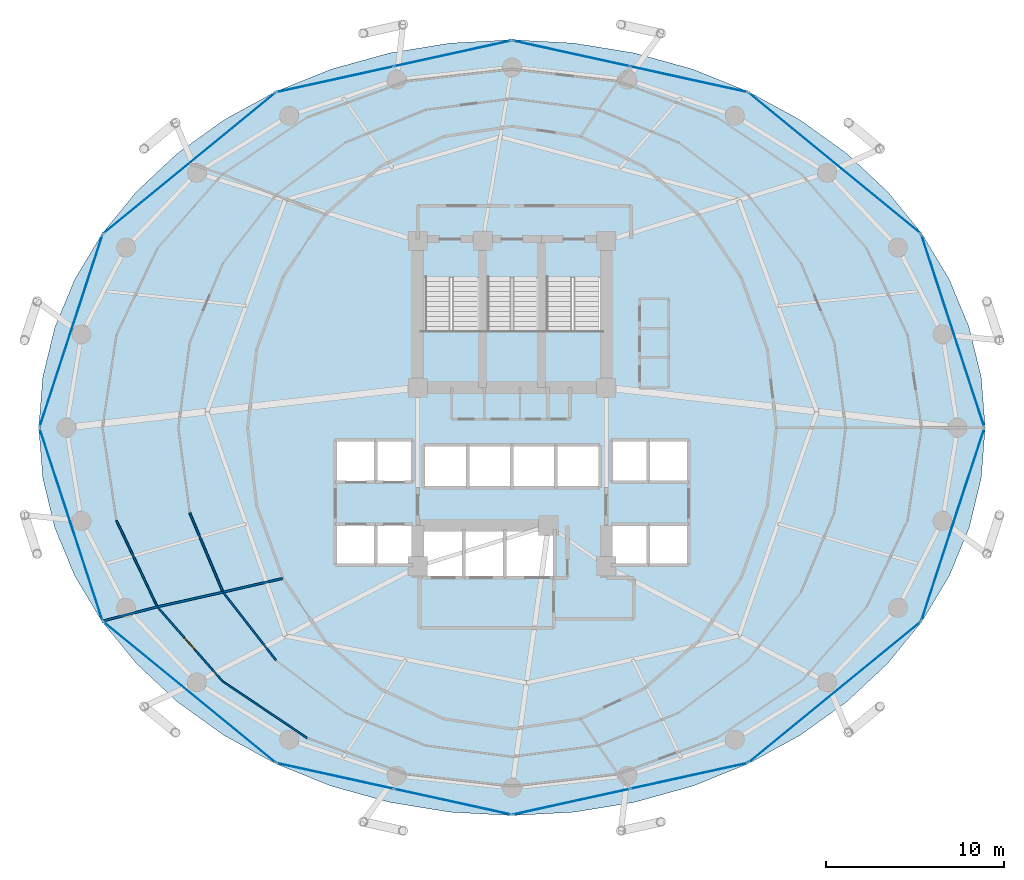
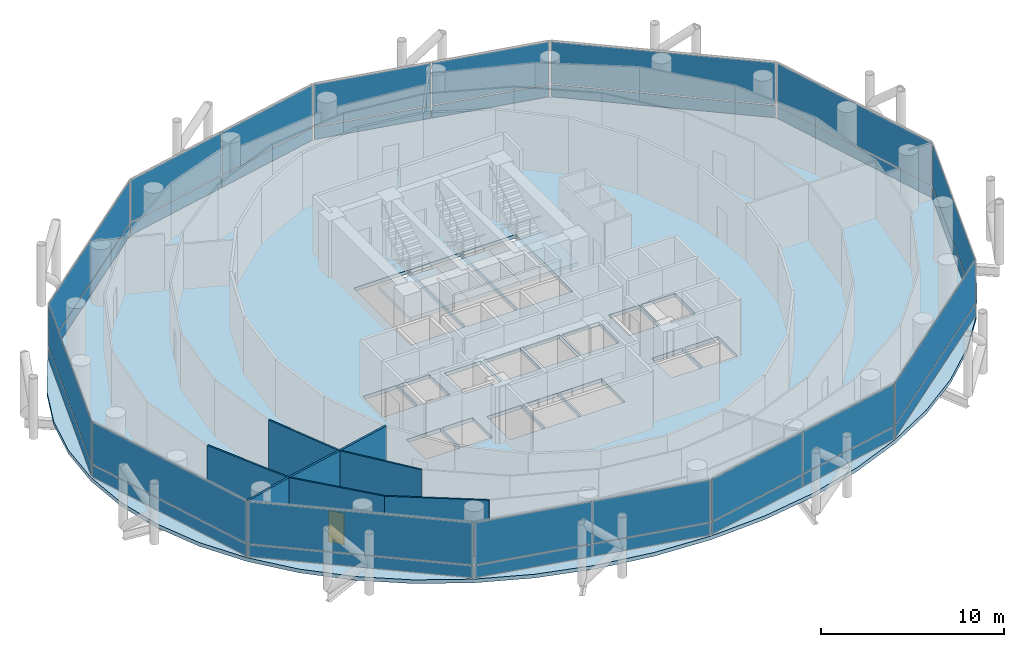
# One storey, part 20 of 26: 32 plates, 8 walls, 4 slabs, 1 door, 1 opening, 15 elements without a shape of their own.
"""IFC4 building model written with IfcOpenShell, lengths in metres."""

from ifc_helpers import new_model, si_unit, direction, frame, frame_2d, origin, origin_2d, place, context, subcontext, project, spatial, polyline, rectangle, outline, extrude, material, layer, layer_set, type_object, element, fill, aggregate, save


model = new_model("IFC4")

# Units and contexts
model_context = context("Model", 3, precision=1e-05, world=origin(), true_north=direction((0.0, 1.0)))
body_context = subcontext(model_context, "Body", "Model", "MODEL_VIEW")
ifc_project = project(units=[si_unit("LENGTHUNIT", "METRE"), si_unit("AREAUNIT", "SQUARE_METRE"), si_unit("VOLUMEUNIT", "CUBIC_METRE"), si_unit("PLANEANGLEUNIT", "RADIAN"), si_unit("MASSUNIT", "GRAM", prefix="KILO")], contexts=[model_context])

# Site, building, storey
site_placement = place(None, origin())
site = spatial("IfcSite", under=ifc_project, at=site_placement, CompositionType="ELEMENT")
building_placement = place(site_placement, origin())
building = spatial("IfcBuilding", under=site, at=building_placement, Name="Nuhasar Tower", CompositionType="ELEMENT")
storey_placement = place(building_placement, frame((0.0, 0.0, 97.949951171875)))
storey = spatial("IfcBuildingStorey", under=building, at=storey_placement, Name="L23", CompositionType="ELEMENT", Elevation=97.949951171875)

# Curtain wall, plate
ifc_material_1 = material(Name="Aluminium 6063-T6", Category="aluminium")
ifc_layer_1 = layer(ifc_material_1, 0.199951171875)
ifc_layer_set_1 = layer_set([ifc_layer_1], Name="Aluminium 6063-T6")
curtain_wall_type = type_object("IfcCurtainWallType", Name="CW-Z1-OFF", PredefinedType="NOTDEFINED", material=ifc_layer_set_1)
curtain_wall_1_placement = place(storey_placement, origin())
curtain_wall_1 = element("IfcCurtainWall", 1, at=curtain_wall_1_placement, inside=storey, type_object=curtain_wall_type, Name="L23 Unitised Curtain Wall 01", PredefinedType="NOTDEFINED")
ifc_material_2 = material(Name="Glass Double Low-E", Category="glass")
ifc_layer_2 = layer(ifc_material_2, 0.028076171875)
ifc_layer_set_2 = layer_set([ifc_layer_2], Name="Glass Double Low-E")
plate_type_1 = type_object("IfcPlateType", Name="CW-PANEL-GLZ", PredefinedType="CURTAIN_PANEL", material=ifc_layer_set_2)
plate_1_placement = place(storey_placement, frame((63.781005859375, 32.239990234375, 0.9326171875), z_axis=(0.0, 0.0, 1.0), x_axis=(-0.310823849997, 0.950467534571, 0.0)))
plate_1 = element("IfcPlate", 2, at=plate_1_placement, type_object=plate_type_1, Name="CW-Z1 panel 1.2", PredefinedType="CURTAIN_PANEL", context=body_context, shape_type="SweptSolid", body=[
    extrude(rectangle(XDim=11.31689453125, YDim=0.028076171875, at=origin_2d()), origin(), (0.0, 0.0, 1.0), 2.802490234375),
])

curtain_wall_2_placement = place(storey_placement, origin())
curtain_wall_2 = element("IfcCurtainWall", 3, at=curtain_wall_2_placement, inside=storey, type_object=curtain_wall_type, Name="L23 Unitised Curtain Wall 02", PredefinedType="NOTDEFINED")
plate_2_placement = place(storey_placement, frame((57.14111328125, 41.66259765625, 0.9326171875), z_axis=(0.0, 0.0, 1.0), x_axis=(-0.773542364946, 0.633744593376, 0.0)))
plate_2 = element("IfcPlate", 4, at=plate_2_placement, type_object=plate_type_1, Name="CW-Z1 panel 1.2", PredefinedType="CURTAIN_PANEL", context=body_context, shape_type="SweptSolid", body=[
    extrude(rectangle(XDim=12.438232421875, YDim=0.028076171875, at=origin_2d()), origin(), (0.0, 0.0, 1.0), 2.802490234375),
])

# Curtain wall, plates
curtain_wall_3_placement = place(storey_placement, origin())
curtain_wall_3 = element("IfcCurtainWall", 5, at=curtain_wall_3_placement, inside=storey, type_object=curtain_wall_type, Name="L23 Unitised Curtain Wall 03", PredefinedType="NOTDEFINED")
plate_3_placement = place(storey_placement, frame((48.944091796875, 46.377197265625, 0.9326171875), z_axis=(0.0, 0.0, 1.0), x_axis=(-0.976746221544, 0.214398737637, 0.0)))
plate_3 = element("IfcPlate", 6, at=plate_3_placement, type_object=plate_type_1, Name="CW-Z1 panel 1.2", PredefinedType="CURTAIN_PANEL", context=body_context, shape_type="SweptSolid", body=[
    extrude(rectangle(XDim=6.70068359375, YDim=0.028076171875, at=origin_2d()), origin(), (0.0, 0.0, 1.0), 2.802490234375),
])
plate_4_placement = place(storey_placement, frame((42.3359375, 47.827880859375, 0.9326171875), z_axis=(0.0, 0.0, 1.0), x_axis=(-0.976746221544, 0.214398737637, 0.0)))
plate_4 = element("IfcPlate", 7, at=plate_4_placement, type_object=plate_type_1, Name="CW-Z1 panel 2.2", PredefinedType="CURTAIN_PANEL", context=body_context, shape_type="SweptSolid", body=[
    extrude(rectangle(XDim=6.70068359375, YDim=0.028076171875, at=origin_2d()), origin(), (0.0, 0.0, 1.0), 2.802490234375),
])

curtain_wall_4_placement = place(storey_placement, origin())
curtain_wall_4 = element("IfcCurtainWall", 8, at=curtain_wall_4_placement, inside=storey, type_object=curtain_wall_type, Name="L23 Unitised Curtain Wall 04", PredefinedType="NOTDEFINED")
plate_5_placement = place(storey_placement, frame((35.6640625, 47.827880859375, 0.9326171875), z_axis=(0.0, 0.0, 1.0), x_axis=(-0.976746221544, -0.214398737637, 0.0)))
plate_5 = element("IfcPlate", 9, at=plate_5_placement, type_object=plate_type_1, Name="CW-Z1 panel 1.2", PredefinedType="CURTAIN_PANEL", context=body_context, shape_type="SweptSolid", body=[
    extrude(rectangle(XDim=6.70068359375, YDim=0.028076171875, at=origin_2d()), origin(), (0.0, 0.0, 1.0), 2.802490234375),
])
plate_6_placement = place(storey_placement, frame((29.055908203125, 46.377197265625, 0.9326171875), z_axis=(0.0, 0.0, 1.0), x_axis=(-0.976746221544, -0.214398737637, 0.0)))
plate_6 = element("IfcPlate", 10, at=plate_6_placement, type_object=plate_type_1, Name="CW-Z1 panel 2.2", PredefinedType="CURTAIN_PANEL", context=body_context, shape_type="SweptSolid", body=[
    extrude(rectangle(XDim=6.70068359375, YDim=0.028076171875, at=origin_2d()), origin(), (0.0, 0.0, 1.0), 2.802490234375),
])

# Curtain wall, plate
curtain_wall_5_placement = place(storey_placement, origin())
curtain_wall_5 = element("IfcCurtainWall", 11, at=curtain_wall_5_placement, inside=storey, type_object=curtain_wall_type, Name="L23 Unitised Curtain Wall 05", PredefinedType="NOTDEFINED")
plate_7_placement = place(storey_placement, frame((20.85888671875, 41.66259765625, 0.9326171875), z_axis=(0.0, 0.0, 1.0), x_axis=(-0.773542364946, -0.633744593376, 0.0)))
plate_7 = element("IfcPlate", 12, at=plate_7_placement, type_object=plate_type_1, Name="CW-Z1 panel 1.2", PredefinedType="CURTAIN_PANEL", context=body_context, shape_type="SweptSolid", body=[
    extrude(rectangle(XDim=12.438232421875, YDim=0.028076171875, at=origin_2d()), origin(), (0.0, 0.0, 1.0), 2.802490234375),
])

curtain_wall_6_placement = place(storey_placement, origin())
curtain_wall_6 = element("IfcCurtainWall", 13, at=curtain_wall_6_placement, inside=storey, type_object=curtain_wall_type, Name="L23 Unitised Curtain Wall 06", PredefinedType="NOTDEFINED")
plate_8_placement = place(storey_placement, frame((14.218994140625, 32.239990234375, 0.9326171875), z_axis=(0.0, 0.0, 1.0), x_axis=(-0.310823849997, -0.950467534571, 0.0)))
plate_8 = element("IfcPlate", 14, at=plate_8_placement, type_object=plate_type_1, Name="CW-Z1 panel 1.2", PredefinedType="CURTAIN_PANEL", context=body_context, shape_type="SweptSolid", body=[
    extrude(rectangle(XDim=11.31689453125, YDim=0.028076171875, at=origin_2d()), origin(), (0.0, 0.0, 1.0), 2.802490234375),
])

curtain_wall_7_placement = place(storey_placement, origin())
curtain_wall_7 = element("IfcCurtainWall", 15, at=curtain_wall_7_placement, inside=storey, type_object=curtain_wall_type, Name="L23 Unitised Curtain Wall 07", PredefinedType="NOTDEFINED")
plate_9_placement = place(storey_placement, frame((14.218994140625, 21.360107421875, 0.9326171875), z_axis=(0.0, 0.0, 1.0), x_axis=(0.310823849997, -0.950467534571, 0.0)))
plate_9 = element("IfcPlate", 16, at=plate_9_placement, type_object=plate_type_1, Name="CW-Z1 panel 1.2", PredefinedType="CURTAIN_PANEL", context=body_context, shape_type="SweptSolid", body=[
    extrude(rectangle(XDim=11.31689453125, YDim=0.028076171875, at=origin_2d()), origin(), (0.0, 0.0, 1.0), 2.802490234375),
])

curtain_wall_8_placement = place(storey_placement, origin())
curtain_wall_8 = element("IfcCurtainWall", 17, at=curtain_wall_8_placement, inside=storey, type_object=curtain_wall_type, Name="L23 Unitised Curtain Wall 08", PredefinedType="NOTDEFINED")
plate_10_placement = place(storey_placement, frame((20.85888671875, 11.9375, 0.9326171875), z_axis=(0.0, 0.0, 1.0), x_axis=(0.773542364946, -0.633744593376, 0.0)))
plate_10 = element("IfcPlate", 18, at=plate_10_placement, type_object=plate_type_1, Name="CW-Z1 panel 1.2", PredefinedType="CURTAIN_PANEL", context=body_context, shape_type="SweptSolid", body=[
    extrude(rectangle(XDim=12.438232421875, YDim=0.028076171875, at=origin_2d()), origin(), (0.0, 0.0, 1.0), 2.802490234375),
])

# Curtain wall, plates
curtain_wall_9_placement = place(storey_placement, origin())
curtain_wall_9 = element("IfcCurtainWall", 19, at=curtain_wall_9_placement, inside=storey, type_object=curtain_wall_type, Name="L23 Unitised Curtain Wall 09", PredefinedType="NOTDEFINED")
plate_11_placement = place(storey_placement, frame((29.055908203125, 7.22265625, 0.9326171875), z_axis=(0.0, 0.0, 1.0), x_axis=(0.976746221544, -0.214398737637, 0.0)))
plate_11 = element("IfcPlate", 20, at=plate_11_placement, type_object=plate_type_1, Name="CW-Z1 panel 1.2", PredefinedType="CURTAIN_PANEL", context=body_context, shape_type="SweptSolid", body=[
    extrude(rectangle(XDim=6.70068359375, YDim=0.028076171875, at=origin_2d()), origin(), (0.0, 0.0, 1.0), 2.802490234375),
])
plate_12_placement = place(storey_placement, frame((35.6640625, 5.772216796875, 0.9326171875), z_axis=(0.0, 0.0, 1.0), x_axis=(0.976746221544, -0.214398737637, 0.0)))
plate_12 = element("IfcPlate", 21, at=plate_12_placement, type_object=plate_type_1, Name="CW-Z1 panel 2.2", PredefinedType="CURTAIN_PANEL", context=body_context, shape_type="SweptSolid", body=[
    extrude(rectangle(XDim=6.70068359375, YDim=0.028076171875, at=origin_2d()), origin(), (0.0, 0.0, 1.0), 2.802490234375),
])

curtain_wall_10_placement = place(storey_placement, origin())
curtain_wall_10 = element("IfcCurtainWall", 22, at=curtain_wall_10_placement, inside=storey, type_object=curtain_wall_type, Name="L23 Unitised Curtain Wall 10", PredefinedType="NOTDEFINED")
plate_13_placement = place(storey_placement, frame((42.3359375, 5.772216796875, 0.9326171875), z_axis=(0.0, 0.0, 1.0), x_axis=(0.976746221544, 0.214398737637, 0.0)))
plate_13 = element("IfcPlate", 23, at=plate_13_placement, type_object=plate_type_1, Name="CW-Z1 panel 1.2", PredefinedType="CURTAIN_PANEL", context=body_context, shape_type="SweptSolid", body=[
    extrude(rectangle(XDim=6.70068359375, YDim=0.028076171875, at=origin_2d()), origin(), (0.0, 0.0, 1.0), 2.802490234375),
])
plate_14_placement = place(storey_placement, frame((48.944091796875, 7.22265625, 0.9326171875), z_axis=(0.0, 0.0, 1.0), x_axis=(0.976746221544, 0.214398737637, 0.0)))
plate_14 = element("IfcPlate", 24, at=plate_14_placement, type_object=plate_type_1, Name="CW-Z1 panel 2.2", PredefinedType="CURTAIN_PANEL", context=body_context, shape_type="SweptSolid", body=[
    extrude(rectangle(XDim=6.70068359375, YDim=0.028076171875, at=origin_2d()), origin(), (0.0, 0.0, 1.0), 2.802490234375),
])

# Curtain wall, plate
curtain_wall_11_placement = place(storey_placement, origin())
curtain_wall_11 = element("IfcCurtainWall", 25, at=curtain_wall_11_placement, inside=storey, type_object=curtain_wall_type, Name="L23 Unitised Curtain Wall 11", PredefinedType="NOTDEFINED")
plate_15_placement = place(storey_placement, frame((57.14111328125, 11.9375, 0.9326171875), z_axis=(0.0, 0.0, 1.0), x_axis=(0.773542364946, 0.633744593376, 0.0)))
plate_15 = element("IfcPlate", 26, at=plate_15_placement, type_object=plate_type_1, Name="CW-Z1 panel 1.2", PredefinedType="CURTAIN_PANEL", context=body_context, shape_type="SweptSolid", body=[
    extrude(rectangle(XDim=12.438232421875, YDim=0.028076171875, at=origin_2d()), origin(), (0.0, 0.0, 1.0), 2.802490234375),
])

curtain_wall_12_placement = place(storey_placement, origin())
curtain_wall_12 = element("IfcCurtainWall", 27, at=curtain_wall_12_placement, inside=storey, type_object=curtain_wall_type, Name="L23 Unitised Curtain Wall 12", PredefinedType="NOTDEFINED")
plate_16_placement = place(storey_placement, frame((63.781005859375, 21.360107421875, 0.9326171875), z_axis=(0.0, 0.0, 1.0), x_axis=(0.310823849997, 0.950467534571, 0.0)))
plate_16 = element("IfcPlate", 28, at=plate_16_placement, type_object=plate_type_1, Name="CW-Z1 panel 1.2", PredefinedType="CURTAIN_PANEL", context=body_context, shape_type="SweptSolid", body=[
    extrude(rectangle(XDim=11.31689453125, YDim=0.028076171875, at=origin_2d()), origin(), (0.0, 0.0, 1.0), 2.802490234375),
])

# Plate
ifc_material_3 = material(Name="Glass Spandrel", Category="glass")
ifc_layer_3 = layer(ifc_material_3, 0.035888671875)
ifc_layer_set_3 = layer_set([ifc_layer_3], Name="Glass Spandrel")
plate_type_2 = type_object("IfcPlateType", Name="CW-PANEL-SPN", PredefinedType="CURTAIN_PANEL", material=ifc_layer_set_3)
plate_17_placement = place(storey_placement, frame((63.781005859375, 32.239990234375, 0.06494140625), z_axis=(0.0, 0.0, 1.0), x_axis=(-0.310823849997, 0.950467534571, 0.0)))
plate_17 = element("IfcPlate", 29, at=plate_17_placement, type_object=plate_type_2, Name="CW-Z1 panel 1.1", PredefinedType="CURTAIN_PANEL", context=body_context, shape_type="SweptSolid", body=[
    extrude(rectangle(XDim=11.31689453125, YDim=0.035888671875, at=origin_2d()), origin(), (0.0, 0.0, 1.0), 0.802490234375),
])

aggregate(curtain_wall_1, [plate_17, plate_1])

plate_18_placement = place(storey_placement, frame((57.14111328125, 41.66259765625, 0.06494140625), z_axis=(0.0, 0.0, 1.0), x_axis=(-0.773542364946, 0.633744593376, 0.0)))
plate_18 = element("IfcPlate", 30, at=plate_18_placement, type_object=plate_type_2, Name="CW-Z1 panel 1.1", PredefinedType="CURTAIN_PANEL", context=body_context, shape_type="SweptSolid", body=[
    extrude(rectangle(XDim=12.438232421875, YDim=0.035888671875, at=origin_2d()), origin(), (0.0, 0.0, 1.0), 0.802490234375),
])

aggregate(curtain_wall_2, [plate_18, plate_2])

plate_19_placement = place(storey_placement, frame((48.944091796875, 46.377197265625, 0.06494140625), z_axis=(0.0, 0.0, 1.0), x_axis=(-0.976746221544, 0.214398737637, 0.0)))
plate_19 = element("IfcPlate", 31, at=plate_19_placement, type_object=plate_type_2, Name="CW-Z1 panel 1.1", PredefinedType="CURTAIN_PANEL", context=body_context, shape_type="SweptSolid", body=[
    extrude(rectangle(XDim=6.70068359375, YDim=0.035888671875, at=origin_2d()), origin(), (0.0, 0.0, 1.0), 0.802490234375),
])

plate_20_placement = place(storey_placement, frame((42.3359375, 47.827880859375, 0.06494140625), z_axis=(0.0, 0.0, 1.0), x_axis=(-0.976746221544, 0.214398737637, 0.0)))
plate_20 = element("IfcPlate", 32, at=plate_20_placement, type_object=plate_type_2, Name="CW-Z1 panel 2.1", PredefinedType="CURTAIN_PANEL", context=body_context, shape_type="SweptSolid", body=[
    extrude(rectangle(XDim=6.70068359375, YDim=0.035888671875, at=origin_2d()), origin(), (0.0, 0.0, 1.0), 0.802490234375),
])

aggregate(curtain_wall_3, [plate_19, plate_3, plate_20, plate_4])

plate_21_placement = place(storey_placement, frame((35.6640625, 47.827880859375, 0.06494140625), z_axis=(0.0, 0.0, 1.0), x_axis=(-0.976746221544, -0.214398737637, 0.0)))
plate_21 = element("IfcPlate", 33, at=plate_21_placement, type_object=plate_type_2, Name="CW-Z1 panel 1.1", PredefinedType="CURTAIN_PANEL", context=body_context, shape_type="SweptSolid", body=[
    extrude(rectangle(XDim=6.70068359375, YDim=0.035888671875, at=origin_2d()), origin(), (0.0, 0.0, 1.0), 0.802490234375),
])

plate_22_placement = place(storey_placement, frame((29.055908203125, 46.377197265625, 0.06494140625), z_axis=(0.0, 0.0, 1.0), x_axis=(-0.976746221544, -0.214398737637, 0.0)))
plate_22 = element("IfcPlate", 34, at=plate_22_placement, type_object=plate_type_2, Name="CW-Z1 panel 2.1", PredefinedType="CURTAIN_PANEL", context=body_context, shape_type="SweptSolid", body=[
    extrude(rectangle(XDim=6.70068359375, YDim=0.035888671875, at=origin_2d()), origin(), (0.0, 0.0, 1.0), 0.802490234375),
])

aggregate(curtain_wall_4, [plate_21, plate_5, plate_22, plate_6])

plate_23_placement = place(storey_placement, frame((20.85888671875, 41.66259765625, 0.06494140625), z_axis=(0.0, 0.0, 1.0), x_axis=(-0.773542364946, -0.633744593376, 0.0)))
plate_23 = element("IfcPlate", 35, at=plate_23_placement, type_object=plate_type_2, Name="CW-Z1 panel 1.1", PredefinedType="CURTAIN_PANEL", context=body_context, shape_type="SweptSolid", body=[
    extrude(rectangle(XDim=12.438232421875, YDim=0.035888671875, at=origin_2d()), origin(), (0.0, 0.0, 1.0), 0.802490234375),
])

aggregate(curtain_wall_5, [plate_23, plate_7])

plate_24_placement = place(storey_placement, frame((14.218994140625, 32.239990234375, 0.06494140625), z_axis=(0.0, 0.0, 1.0), x_axis=(-0.310823849997, -0.950467534571, 0.0)))
plate_24 = element("IfcPlate", 36, at=plate_24_placement, type_object=plate_type_2, Name="CW-Z1 panel 1.1", PredefinedType="CURTAIN_PANEL", context=body_context, shape_type="SweptSolid", body=[
    extrude(rectangle(XDim=11.31689453125, YDim=0.035888671875, at=origin_2d()), origin(), (0.0, 0.0, 1.0), 0.802490234375),
])

aggregate(curtain_wall_6, [plate_24, plate_8])

plate_25_placement = place(storey_placement, frame((14.218994140625, 21.360107421875, 0.06494140625), z_axis=(0.0, 0.0, 1.0), x_axis=(0.310823849997, -0.950467534571, 0.0)))
plate_25 = element("IfcPlate", 37, at=plate_25_placement, type_object=plate_type_2, Name="CW-Z1 panel 1.1", PredefinedType="CURTAIN_PANEL", context=body_context, shape_type="SweptSolid", body=[
    extrude(rectangle(XDim=11.31689453125, YDim=0.035888671875, at=origin_2d()), origin(), (0.0, 0.0, 1.0), 0.802490234375),
])

aggregate(curtain_wall_7, [plate_25, plate_9])

plate_26_placement = place(storey_placement, frame((20.85888671875, 11.9375, 0.06494140625), z_axis=(0.0, 0.0, 1.0), x_axis=(0.773542364946, -0.633744593376, 0.0)))
plate_26 = element("IfcPlate", 38, at=plate_26_placement, type_object=plate_type_2, Name="CW-Z1 panel 1.1", PredefinedType="CURTAIN_PANEL", context=body_context, shape_type="SweptSolid", body=[
    extrude(rectangle(XDim=12.438232421875, YDim=0.035888671875, at=origin_2d()), origin(), (0.0, 0.0, 1.0), 0.802490234375),
])

aggregate(curtain_wall_8, [plate_26, plate_10])

plate_27_placement = place(storey_placement, frame((29.055908203125, 7.22265625, 0.06494140625), z_axis=(0.0, 0.0, 1.0), x_axis=(0.976746221544, -0.214398737637, 0.0)))
plate_27 = element("IfcPlate", 39, at=plate_27_placement, type_object=plate_type_2, Name="CW-Z1 panel 1.1", PredefinedType="CURTAIN_PANEL", context=body_context, shape_type="SweptSolid", body=[
    extrude(rectangle(XDim=6.70068359375, YDim=0.035888671875, at=origin_2d()), origin(), (0.0, 0.0, 1.0), 0.802490234375),
])

plate_28_placement = place(storey_placement, frame((35.6640625, 5.772216796875, 0.06494140625), z_axis=(0.0, 0.0, 1.0), x_axis=(0.976746221544, -0.214398737637, 0.0)))
plate_28 = element("IfcPlate", 40, at=plate_28_placement, type_object=plate_type_2, Name="CW-Z1 panel 2.1", PredefinedType="CURTAIN_PANEL", context=body_context, shape_type="SweptSolid", body=[
    extrude(rectangle(XDim=6.70068359375, YDim=0.035888671875, at=origin_2d()), origin(), (0.0, 0.0, 1.0), 0.802490234375),
])

aggregate(curtain_wall_9, [plate_27, plate_11, plate_28, plate_12])

plate_29_placement = place(storey_placement, frame((42.3359375, 5.772216796875, 0.06494140625), z_axis=(0.0, 0.0, 1.0), x_axis=(0.976746221544, 0.214398737637, 0.0)))
plate_29 = element("IfcPlate", 41, at=plate_29_placement, type_object=plate_type_2, Name="CW-Z1 panel 1.1", PredefinedType="CURTAIN_PANEL", context=body_context, shape_type="SweptSolid", body=[
    extrude(rectangle(XDim=6.70068359375, YDim=0.035888671875, at=origin_2d()), origin(), (0.0, 0.0, 1.0), 0.802490234375),
])

plate_30_placement = place(storey_placement, frame((48.944091796875, 7.22265625, 0.06494140625), z_axis=(0.0, 0.0, 1.0), x_axis=(0.976746221544, 0.214398737637, 0.0)))
plate_30 = element("IfcPlate", 42, at=plate_30_placement, type_object=plate_type_2, Name="CW-Z1 panel 2.1", PredefinedType="CURTAIN_PANEL", context=body_context, shape_type="SweptSolid", body=[
    extrude(rectangle(XDim=6.70068359375, YDim=0.035888671875, at=origin_2d()), origin(), (0.0, 0.0, 1.0), 0.802490234375),
])

aggregate(curtain_wall_10, [plate_29, plate_13, plate_30, plate_14])

plate_31_placement = place(storey_placement, frame((57.14111328125, 11.9375, 0.06494140625), z_axis=(0.0, 0.0, 1.0), x_axis=(0.773542364946, 0.633744593376, 0.0)))
plate_31 = element("IfcPlate", 43, at=plate_31_placement, type_object=plate_type_2, Name="CW-Z1 panel 1.1", PredefinedType="CURTAIN_PANEL", context=body_context, shape_type="SweptSolid", body=[
    extrude(rectangle(XDim=12.438232421875, YDim=0.035888671875, at=origin_2d()), origin(), (0.0, 0.0, 1.0), 0.802490234375),
])

aggregate(curtain_wall_11, [plate_31, plate_15])

plate_32_placement = place(storey_placement, frame((63.781005859375, 21.360107421875, 0.06494140625), z_axis=(0.0, 0.0, 1.0), x_axis=(0.310823849997, 0.950467534571, 0.0)))
plate_32 = element("IfcPlate", 44, at=plate_32_placement, type_object=plate_type_2, Name="CW-Z1 panel 1.1", PredefinedType="CURTAIN_PANEL", context=body_context, shape_type="SweptSolid", body=[
    extrude(rectangle(XDim=11.31689453125, YDim=0.035888671875, at=origin_2d()), origin(), (0.0, 0.0, 1.0), 0.802490234375),
])

aggregate(curtain_wall_12, [plate_32, plate_16])

# Stair, slab
ifc_material_4 = material(Name="Concrete C45/55", Category="concrete")
stair_type_1 = type_object("IfcStairType", Name="STR-ST-01-2F-24R-1688", PredefinedType="HALF_TURN_STAIR", material=ifc_material_4)
stair_1_placement = place(storey_placement, origin())
stair_1 = element("IfcStair", 45, at=stair_1_placement, inside=storey, type_object=stair_type_1, Name="L23 Exit Stair ST-01", PredefinedType="HALF_TURN_STAIR")
ifc_layer_4 = layer(ifc_material_4, 0.239990234375)
ifc_layer_set_4 = layer_set([ifc_layer_4], Name="Concrete C45/55")
slab_type_1 = type_object("IfcSlabType", Name="SLB-STAIR-LND-240", PredefinedType="LANDING", material=ifc_layer_set_4)
slab_1_placement = place(storey_placement, frame((0.0, 0.0, 1.78515625)))
slab_1 = element("IfcSlab", 46, at=slab_1_placement, type_object=slab_type_1, Name="ST-01 landing 1", PredefinedType="LANDING", context=body_context, shape_type="SweptSolid", body=[
    extrude(outline(polyline([(33.699951171875, 28.75), (37.35009765625, 28.75), (37.35009765625, 32.239990234375), (33.699951171875, 32.239990234375), (33.699951171875, 28.75)])), origin(), (0.0, 0.0, 1.0), 0.239990234375),
])
aggregate(stair_1, [slab_1])

stair_type_2 = type_object("IfcStairType", Name="STR-ST-03-2F-24R-1688", PredefinedType="HALF_TURN_STAIR", material=ifc_material_4)
stair_2_placement = place(storey_placement, origin())
stair_2 = element("IfcStair", 47, at=stair_2_placement, inside=storey, type_object=stair_type_2, Name="L23 Exit Stair ST-03", PredefinedType="HALF_TURN_STAIR")
slab_2_placement = place(storey_placement, frame((0.0, 0.0, 1.78515625)))
slab_2 = element("IfcSlab", 48, at=slab_2_placement, type_object=slab_type_1, Name="ST-03 landing 1", PredefinedType="LANDING", context=body_context, shape_type="SweptSolid", body=[
    extrude(outline(polyline([(37.35009765625, 28.75), (40.64990234375, 28.75), (40.64990234375, 32.239990234375), (37.35009765625, 32.239990234375), (37.35009765625, 28.75)])), origin(), (0.0, 0.0, 1.0), 0.239990234375),
])
aggregate(stair_2, [slab_2])

stair_type_3 = type_object("IfcStairType", Name="STR-ST-02-2F-24R-1688", PredefinedType="HALF_TURN_STAIR", material=ifc_material_4)
stair_3_placement = place(storey_placement, origin())
stair_3 = element("IfcStair", 49, at=stair_3_placement, inside=storey, type_object=stair_type_3, Name="L23 Exit Stair ST-02", PredefinedType="HALF_TURN_STAIR")
slab_3_placement = place(storey_placement, frame((0.0, 0.0, 1.78515625)))
slab_3 = element("IfcSlab", 50, at=slab_3_placement, type_object=slab_type_1, Name="ST-02 landing 1", PredefinedType="LANDING", context=body_context, shape_type="SweptSolid", body=[
    extrude(outline(polyline([(40.64990234375, 28.75), (44.300048828125, 28.75), (44.300048828125, 32.239990234375), (40.64990234375, 32.239990234375), (40.64990234375, 28.75)])), origin(), (0.0, 0.0, 1.0), 0.239990234375),
])
aggregate(stair_3, [slab_3])

# Slab
ifc_layer_5 = layer(ifc_material_4, 0.25)
ifc_layer_set_5 = layer_set([ifc_layer_5], Name="Concrete C45/55")
slab_type_2 = type_object("IfcSlabType", Name="SLB-Z1B-250", PredefinedType="FLOOR", material=ifc_layer_set_5)
slab_4_placement = place(storey_placement, frame((0.0, 0.0, -0.25)))
element("IfcSlab", 51, at=slab_4_placement, inside=storey, type_object=slab_type_2, Name="L23 Structural Slab", PredefinedType="FLOOR", context=body_context, shape_type="SweptSolid", body=[
    extrude(outline(polyline([(65.60009765625, 26.800048828125), (65.3720703125, 29.64501953125), (64.694091796875, 32.44189453125), (63.574951171875, 35.14208984375), (62.035888671875, 37.699951171875), (60.10302734375, 40.071044921875), (57.80908203125, 42.215087890625), (55.193115234375, 44.094970703125), (52.300048828125, 45.678955078125), (49.178955078125, 46.94091796875), (45.885009765625, 47.85693359375), (42.471923828125, 48.4130859375), (39.0, 48.60009765625), (35.528076171875, 48.4130859375), (32.114990234375, 47.85693359375), (28.821044921875, 46.94091796875), (25.699951171875, 45.678955078125), (22.806884765625, 44.094970703125), (20.19091796875, 42.215087890625), (17.89697265625, 40.071044921875), (15.964111328125, 37.699951171875), (14.425048828125, 35.14208984375), (13.305908203125, 32.44189453125), (12.6279296875, 29.64501953125), (12.39990234375, 26.800048828125), (12.6279296875, 23.955078125), (13.305908203125, 21.157958984375), (14.425048828125, 18.4580078125), (15.964111328125, 15.89990234375), (17.89697265625, 13.529052734375), (20.19091796875, 11.385009765625), (22.806884765625, 9.5048828125), (25.699951171875, 7.9208984375), (28.821044921875, 6.658935546875), (32.114990234375, 5.742919921875), (35.528076171875, 5.18701171875), (39.0, 5.0), (42.471923828125, 5.18701171875), (45.885009765625, 5.742919921875), (49.178955078125, 6.658935546875), (52.300048828125, 7.9208984375), (55.193115234375, 9.5048828125), (57.80908203125, 11.385009765625), (60.10302734375, 13.529052734375), (62.035888671875, 15.89990234375), (63.574951171875, 18.4580078125), (64.694091796875, 21.157958984375), (65.3720703125, 23.955078125), (65.60009765625, 26.800048828125)]), holes=[polyline([(33.8798828125, 35.25), (37.300048828125, 35.25), (37.300048828125, 29.0), (33.8798828125, 29.0), (33.8798828125, 35.25)]), polyline([(37.39990234375, 35.25), (40.60009765625, 35.25), (40.60009765625, 29.0), (37.39990234375, 29.0), (37.39990234375, 35.25)]), polyline([(40.699951171875, 35.25), (44.1201171875, 35.25), (44.1201171875, 29.0), (40.699951171875, 29.0), (40.699951171875, 35.25)]), polyline([(29.14990234375, 26.050048828125), (31.300048828125, 26.050048828125), (31.300048828125, 23.800048828125), (29.14990234375, 23.800048828125), (29.14990234375, 26.050048828125)]), polyline([(31.39990234375, 26.050048828125), (33.35009765625, 26.050048828125), (33.35009765625, 23.800048828125), (31.39990234375, 23.800048828125), (31.39990234375, 26.050048828125)]), polyline([(29.14990234375, 21.300048828125), (31.300048828125, 21.300048828125), (31.300048828125, 19.14990234375), (29.14990234375, 19.14990234375), (29.14990234375, 21.300048828125)]), polyline([(31.39990234375, 21.300048828125), (33.35009765625, 21.300048828125), (33.35009765625, 19.14990234375), (31.39990234375, 19.14990234375), (31.39990234375, 21.300048828125)]), polyline([(44.64990234375, 26.050048828125), (46.60009765625, 26.050048828125), (46.60009765625, 23.800048828125), (44.64990234375, 23.800048828125), (44.64990234375, 26.050048828125)]), polyline([(46.699951171875, 26.050048828125), (48.85009765625, 26.050048828125), (48.85009765625, 23.800048828125), (46.699951171875, 23.800048828125), (46.699951171875, 26.050048828125)]), polyline([(44.64990234375, 21.300048828125), (46.60009765625, 21.300048828125), (46.60009765625, 19.14990234375), (44.64990234375, 19.14990234375), (44.64990234375, 21.300048828125)]), polyline([(46.699951171875, 21.300048828125), (48.85009765625, 21.300048828125), (48.85009765625, 19.14990234375), (46.699951171875, 19.14990234375), (46.699951171875, 21.300048828125)]), polyline([(34.10009765625, 25.75), (36.43994140625, 25.75), (36.43994140625, 23.5), (34.10009765625, 23.5), (34.10009765625, 25.75)]), polyline([(36.580078125, 25.75), (38.919921875, 25.75), (38.919921875, 23.5), (36.580078125, 23.5), (36.580078125, 25.75)]), polyline([(39.06005859375, 25.75), (41.39990234375, 25.75), (41.39990234375, 23.5), (39.06005859375, 23.5), (39.06005859375, 25.75)]), polyline([(41.5400390625, 25.75), (43.8798828125, 25.75), (43.8798828125, 23.5), (41.5400390625, 23.5), (41.5400390625, 25.75)]), polyline([(34.050048828125, 21.0), (36.25, 21.0), (36.25, 18.449951171875), (34.050048828125, 18.449951171875), (34.050048828125, 21.0)]), polyline([(36.35009765625, 21.0), (38.550048828125, 21.0), (38.550048828125, 18.449951171875), (36.35009765625, 18.449951171875), (36.35009765625, 21.0)]), polyline([(38.64990234375, 21.0), (41.320068359375, 21.0), (41.320068359375, 18.449951171875), (38.64990234375, 18.449951171875), (38.64990234375, 21.0)])]), origin(), (0.0, 0.0, 1.0), 0.25),
])

# Walls
ifc_layer_6 = layer(ifc_material_1, 0.10009765625)
ifc_layer_set_6 = layer_set([ifc_layer_6], Name="Aluminium 6063-T6")
wall_type_1 = type_object("IfcWallType", Name="WL-MOVABLE-100", PredefinedType="MOVABLE", material=ifc_layer_set_6)
wall_1_placement = place(storey_placement, frame((20.884033203125, 22.012939453125, 0.0), z_axis=(0.0, 0.0, 1.0), x_axis=(0.387307971266, -0.921950397469, 0.0)))
element("IfcWall", 52, at=wall_1_placement, inside=storey, type_object=wall_type_1, Name="L23 Interior Partition OR1-03-26", PredefinedType="MOVABLE", context=body_context, shape_type="SweptSolid", body=[
    extrude(rectangle(XDim=4.838623046875, YDim=0.10009765625, at=frame_2d((2.41943359375, 0.0))), origin(), (0.0, 0.0, 1.0), 3.800048828125),
])
wall_2_placement = place(storey_placement, frame((16.76611328125, 21.5859375, 0.0), z_axis=(0.0, 0.0, 1.0), x_axis=(0.42788717079, -0.903832157578, 0.0)))
element("IfcWall", 53, at=wall_2_placement, inside=storey, type_object=wall_type_1, Name="L23 Interior Partition OR2-03-26", PredefinedType="MOVABLE", context=body_context, shape_type="SweptSolid", body=[
    extrude(rectangle(XDim=5.374755859375, YDim=0.10009765625, at=frame_2d((2.6875, 0.0))), origin(), (0.0, 0.0, 1.0), 3.800048828125),
])
wall_3_placement = place(storey_placement, frame((22.758056640625, 17.552001953125, 0.0), z_axis=(0.0, 0.0, 1.0), x_axis=(0.613975436768, -0.789325131391, 0.0)))
element("IfcWall", 54, at=wall_3_placement, inside=storey, type_object=wall_type_1, Name="L23 Interior Partition OR1-04-28", PredefinedType="MOVABLE", context=body_context, shape_type="SweptSolid", body=[
    extrude(rectangle(XDim=4.853515625, YDim=0.10009765625, at=frame_2d((2.4267578125, 0.0))), origin(), (0.0, 0.0, 1.0), 3.800048828125),
])

# Wall, opening, door
wall_4_placement = place(storey_placement, frame((19.06591796875, 16.72802734375, 0.0), z_axis=(0.0, 0.0, 1.0), x_axis=(0.659192649305, -0.751974102681, 0.0)))
wall_4 = element("IfcWall", 55, at=wall_4_placement, inside=storey, type_object=wall_type_1, Name="L23 Interior Partition OR2-04-28", PredefinedType="MOVABLE", context=body_context, shape_type="SweptSolid", body=[
    extrude(rectangle(XDim=5.549560546875, YDim=0.10009765625, at=frame_2d((2.77490234375, 0.0))), origin(), (0.0, 0.0, 1.0), 3.800048828125),
])
opening_placement = place(wall_4_placement, frame((2.324951171875, 0.0, 0.0)))
opening = element("IfcOpeningElement", 56, at=opening_placement, cuts=wall_4, Name="Opening DR-01", PredefinedType="OPENING", context=body_context, shape_type="SweptSolid", body=[
    extrude(rectangle(XDim=0.89990234375, YDim=2.10009765625, at=frame_2d((0.449951171875, 1.050048828125))), frame((0.0, 0.06005859375, 0.0), z_axis=(0.0, -1.0, 0.0), x_axis=(1.0, 0.0, 0.0)), (0.0, 0.0, 1.0), 0.1201171875),
])
ifc_material_5 = material(Name="Timber Oak", Category="wood")
door_type = type_object("IfcDoorType", Name="DR-ROOM-900", OperationType="NOTDEFINED", PredefinedType="DOOR", material=ifc_material_5)
door_placement = place(opening_placement, origin())
door = element("IfcDoor", 57, at=door_placement, inside=storey, type_object=door_type, Name="L23 Members Cigar Hall Outer Door", OperationType="SINGLE_SWING_RIGHT", OverallHeight=2.10009765625, OverallWidth=0.89990234375, PredefinedType="DOOR", context=body_context, shape_type="SweptSolid", body=[
    extrude(rectangle(XDim=0.89990234375, YDim=2.10009765625, at=frame_2d((0.449951171875, 1.050048828125))), frame((0.0, 0.02490234375, 0.0), z_axis=(0.0, -1.0, 0.0), x_axis=(1.0, 0.0, 0.0)), (0.0, 0.0, 1.0), 0.050048828125),
])
fill(opening, door)

# Walls
wall_5_placement = place(storey_placement, frame((22.72412109375, 12.554931640625, 0.0), z_axis=(0.0, 0.0, 1.0), x_axis=(0.830194424377, -0.557473961485, 0.0)))
element("IfcWall", 58, at=wall_5_placement, inside=storey, type_object=wall_type_1, Name="L23 Interior Partition OR2-04-30", PredefinedType="MOVABLE", context=body_context, shape_type="SweptSolid", body=[
    extrude(rectangle(XDim=5.741943359375, YDim=0.10009765625, at=frame_2d((2.87109375, 0.0))), origin(), (0.0, 0.0, 1.0), 3.800048828125),
])
ifc_material_6 = material(Name="Gypsum Board", Category="gypsum")
ifc_layer_7 = layer(ifc_material_6, 0.125)
ifc_layer_set_7 = layer_set([ifc_layer_7], Name="Gypsum Board")
wall_type_2 = type_object("IfcWallType", Name="WL-PART-125", PredefinedType="PARTITIONING", material=ifc_layer_set_7)
wall_6_placement = place(storey_placement, frame((26.131103515625, 18.330078125, 0.0), z_axis=(0.0, 0.0, 1.0), x_axis=(-0.974411399149, -0.224771940438, 0.0)))
element("IfcWall", 59, at=wall_6_placement, inside=storey, type_object=wall_type_2, Name="L23 Interior Partition ORAD7-28-S1", PredefinedType="PARTITIONING", context=body_context, shape_type="SweptSolid", body=[
    extrude(rectangle(XDim=3.461669921875, YDim=0.125, at=frame_2d((1.73095703125, 0.0))), origin(), (0.0, 0.0, 1.0), 3.800048828125),
])
wall_7_placement = place(storey_placement, frame((22.758056640625, 17.552001953125, 0.0), z_axis=(0.0, 0.0, 1.0), x_axis=(-0.975990773868, -0.217811866812, 0.0)))
element("IfcWall", 60, at=wall_7_placement, inside=storey, type_object=wall_type_2, Name="L23 Interior Partition ORAD7-28-S2", PredefinedType="PARTITIONING", context=body_context, shape_type="SweptSolid", body=[
    extrude(rectangle(XDim=3.782958984375, YDim=0.125, at=frame_2d((1.8916015625, 0.0))), origin(), (0.0, 0.0, 1.0), 3.800048828125),
])
wall_8_placement = place(storey_placement, frame((19.06591796875, 16.72802734375, 0.0), z_axis=(0.0, 0.0, 1.0), x_axis=(-0.967787254354, -0.251769399075, 0.0)))
element("IfcWall", 61, at=wall_8_placement, inside=storey, type_object=wall_type_2, Name="L23 Interior Partition ORAD7-28-S3", PredefinedType="PARTITIONING", context=body_context, shape_type="SweptSolid", body=[
    extrude(rectangle(XDim=3.137939453125, YDim=0.125, at=frame_2d((1.56884765625, 0.0))), origin(), (0.0, 0.0, 1.0), 3.800048828125),
])

save(model, "model.ifc")
